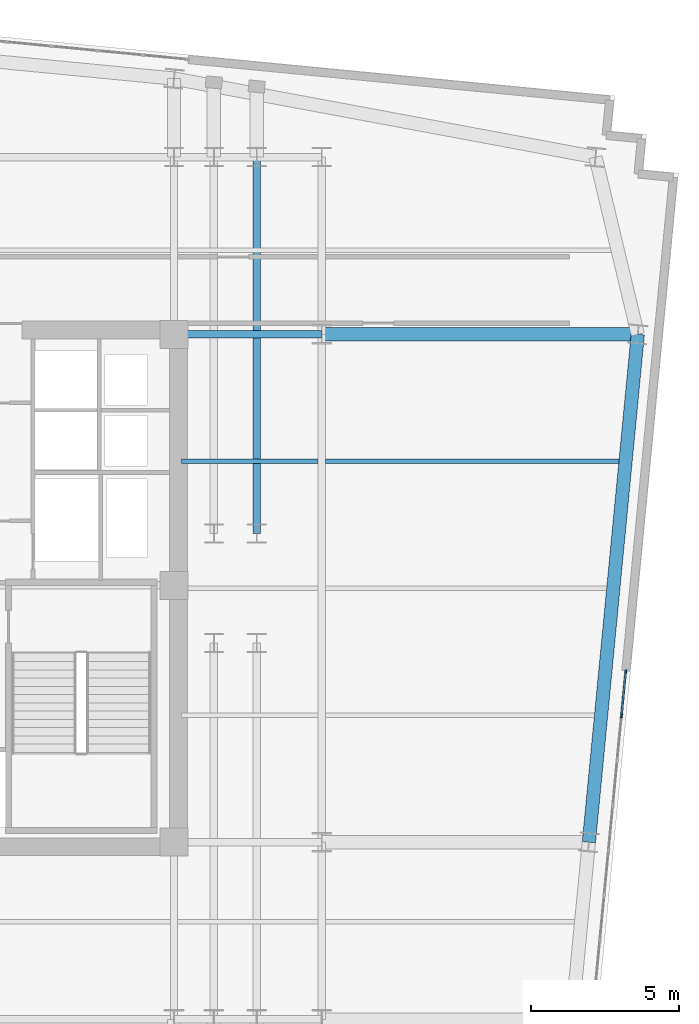
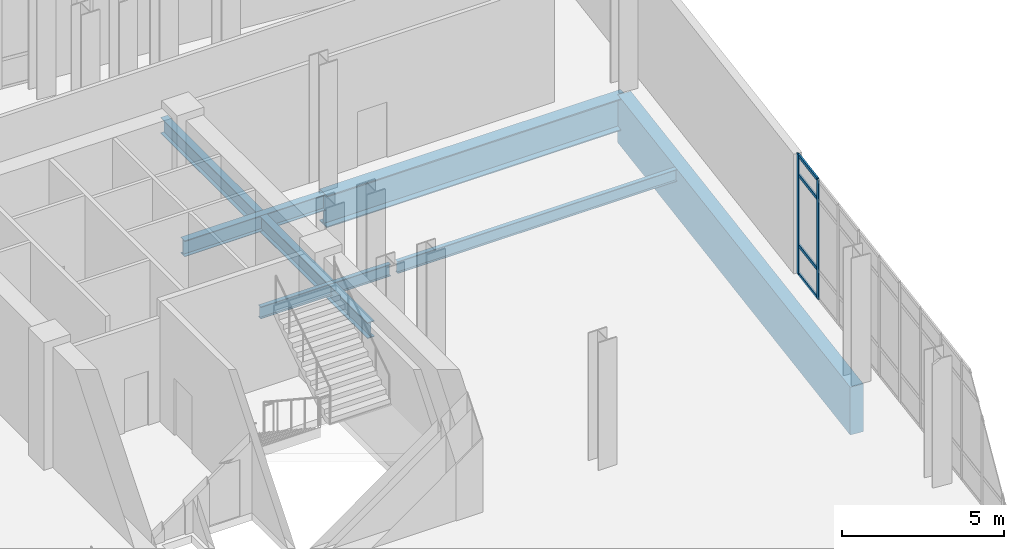
# One storey, part 7 of 16: 6 beams, 6 members, 1 element without a shape of its own.
"""IFC4 building model written with IfcOpenShell, lengths in metres."""

from ifc_helpers import new_model, si_unit, direction, frame, origin, origin_2d, place, context, subcontext, project, spatial, rectangle, i_section, extrude, material, layer, layer_set, material_profile, profile_set, type_object, element, aggregate, save


model = new_model("IFC4")

# Units and contexts
model_context = context("Model", 3, precision=1e-05, world=origin(), true_north=direction((0.0, 1.0)))
body_context = subcontext(model_context, "Body", "Model", "MODEL_VIEW")
ifc_project = project(units=[si_unit("LENGTHUNIT", "METRE"), si_unit("AREAUNIT", "SQUARE_METRE"), si_unit("VOLUMEUNIT", "CUBIC_METRE"), si_unit("PLANEANGLEUNIT", "RADIAN"), si_unit("MASSUNIT", "GRAM", prefix="KILO")], contexts=[model_context])

# Site, building, storey
site_placement = place(None, origin())
site = spatial("IfcSite", under=ifc_project, at=site_placement, CompositionType="ELEMENT")
building_placement = place(site_placement, origin())
building = spatial("IfcBuilding", under=site, at=building_placement, Name="Velakula Bourse", CompositionType="ELEMENT")
storey_placement = place(building_placement, frame((0.0, 0.0, 199.5)))
storey = spatial("IfcBuildingStorey", under=building, at=storey_placement, Name="L54", CompositionType="ELEMENT", Elevation=199.5)

# Beams
ifc_material_1 = material(Name="Steel IS 2062 Grade 350 (E350)", Category="steel")
ifc_material_profile_1 = material_profile(ifc_material_1, i_section(OverallWidth=0.25, OverallDepth=0.60009765625, WebThickness=0.01123046875, FlangeThickness=0.021240234375, at=origin_2d()), Name="Steel IS 2062 Grade 350 (E350)")
ifc_profile_set_1 = profile_set([ifc_material_profile_1], Name="Steel IS 2062 Grade 350 (E350)")
beam_type_1 = type_object("IfcBeamType", Name="BM-GRD-600M", PredefinedType="BEAM", material=ifc_profile_set_1)
beam_1_placement = place(storey_placement, frame((21.39990234375, 1.85009765625, -0.580078125), z_axis=(0.0, 1.0, 0.0), x_axis=(-1.0, 0.0, 0.0)))
element("IfcBeam", 1, at=beam_1_placement, inside=storey, type_object=beam_type_1, Name="L54 Fulcrum Grid Girder FLC-PNE2", PredefinedType="BEAM", context=body_context, shape_type="SweptSolid", body=[
    extrude(i_section(OverallWidth=0.25, OverallDepth=0.60009765625, WebThickness=0.01123046875, FlangeThickness=0.021240234375, at=origin_2d()), origin(), (0.0, 0.0, 1.0), 12.75),
])
beam_2_placement = place(storey_placement, frame((18.60009765625, 8.60009765625, -0.580078125), z_axis=(1.0, 0.0, 0.0), x_axis=(0.0, 1.0, 0.0)))
element("IfcBeam", 2, at=beam_2_placement, inside=storey, type_object=beam_type_1, Name="L54 Fulcrum Grid Girder MWG-EN1", PredefinedType="BEAM", context=body_context, shape_type="SweptSolid", body=[
    extrude(i_section(OverallWidth=0.25, OverallDepth=0.60009765625, WebThickness=0.01123046875, FlangeThickness=0.021240234375, at=origin_2d()), origin(), (0.0, 0.0, 1.0), 5.0),
])
ifc_material_profile_2 = material_profile(ifc_material_1, i_section(OverallWidth=0.14990234375, OverallDepth=0.449951171875, WebThickness=0.009521484375, FlangeThickness=0.017333984375, at=origin_2d()), Name="Steel IS 2062 Grade 350 (E350)")
ifc_profile_set_2 = profile_set([ifc_material_profile_2], Name="Steel IS 2062 Grade 350 (E350)")
beam_type_2 = type_object("IfcBeamType", Name="JST-TWR-450", PredefinedType="JOIST", material=ifc_profile_set_2)
beam_3_placement = place(storey_placement, frame((18.85009765625, 4.300048828125, -0.5048828125), z_axis=(1.0, 0.0, 0.0), x_axis=(0.0, 1.0, 0.0)))
element("IfcBeam", 3, at=beam_3_placement, inside=storey, type_object=beam_type_2, Name="L54 Trading Floor Composite Joist 26", PredefinedType="JOIST", context=body_context, shape_type="SweptSolid", body=[
    extrude(i_section(OverallWidth=0.14990234375, OverallDepth=0.449951171875, WebThickness=0.009521484375, FlangeThickness=0.017333984375, at=origin_2d()), origin(), (0.0, 0.0, 1.0), 4.625),
])
beam_4_placement = place(storey_placement, frame((23.72509765625, 4.300048828125, -0.5048828125), z_axis=(1.0, 0.0, 0.0), x_axis=(0.0, 1.0, 0.0)))
element("IfcBeam", 4, at=beam_4_placement, inside=storey, type_object=beam_type_2, Name="L54 Trading Floor Composite Joist 27", PredefinedType="JOIST", context=body_context, shape_type="SweptSolid", body=[
    extrude(i_section(OverallWidth=0.14990234375, OverallDepth=0.449951171875, WebThickness=0.009521484375, FlangeThickness=0.017333984375, at=origin_2d()), origin(), (0.0, 0.0, 1.0), 9.93994140625),
])

# Curtain wall, members
ifc_material_2 = material(Name="Anodised bronze architectural aluminium", Category="aluminium")
ifc_layer = layer(ifc_material_2, 0.139892578125, Name="Anodised bronze architectural aluminium", Category="aluminium")
ifc_layer_set = layer_set([ifc_layer], Name="Anodised bronze architectural aluminium")
curtain_wall_type = type_object("IfcCurtainWallType", Name="CW-TS1", PredefinedType="NOTDEFINED", material=ifc_layer_set)
curtain_wall_placement = place(storey_placement, origin())
curtain_wall = element("IfcCurtainWall", 5, at=curtain_wall_placement, inside=storey, type_object=curtain_wall_type, Name="L54 Turbine Plenum Curtain Wall E-W1", PredefinedType="NOTDEFINED")
ifc_material_profile_3 = material_profile(ifc_material_2, rectangle(XDim=0.06005859375, YDim=0.139892578125, at=origin_2d()), Name="Anodised bronze architectural aluminium")
ifc_profile_set_3 = profile_set([ifc_material_profile_3], Name="Anodised bronze architectural aluminium")
member_type_1 = type_object("IfcMemberType", Name="MUL-CW-TS1", PredefinedType="MULLION", material=ifc_profile_set_3)
member_1_placement = place(storey_placement, frame((33.89794921875, -2.828369140625, 0.0), z_axis=(0.0, 0.0, 1.0), x_axis=(0.995395914115, -0.095848704547, 0.0)))
member_1 = element("IfcMember", 6, at=member_1_placement, type_object=member_type_1, Name="CW-TS1 mullion 1", PredefinedType="MULLION", context=body_context, shape_type="SweptSolid", body=[
    extrude(rectangle(XDim=0.06005859375, YDim=0.139892578125, at=origin_2d()), origin(), (0.0, 0.0, 1.0), 4.5),
])
member_2_placement = place(storey_placement, frame((33.75439453125, -4.317626953125, 0.0), z_axis=(0.0, 0.0, 1.0), x_axis=(0.995395914115, -0.095848704547, 0.0)))
member_2 = element("IfcMember", 7, at=member_2_placement, type_object=member_type_1, Name="CW-TS1 mullion 2", PredefinedType="MULLION", context=body_context, shape_type="SweptSolid", body=[
    extrude(rectangle(XDim=0.06005859375, YDim=0.139892578125, at=origin_2d()), origin(), (0.0, 0.0, 1.0), 4.5),
])

# Beams
ifc_material_3 = material(Name="Concrete M50 (fck 50 MPa)", Category="concrete")
ifc_material_profile_4 = material_profile(ifc_material_3, rectangle(XDim=0.449951171875, YDim=1.800048828125, at=origin_2d()), Name="Concrete M50 (fck 50 MPa)")
ifc_profile_set_4 = profile_set([ifc_material_profile_4], Name="Concrete M50 (fck 50 MPa)")
beam_type_3 = type_object("IfcBeamType", Name="SPN-TRF-1800", PredefinedType="SPANDREL", material=ifc_profile_set_4)
beam_5_placement = place(storey_placement, frame((32.64892578125, -8.60009765625, -1.179931640625), z_axis=(0.095849167925, 0.995395869495, 0.0), x_axis=(-0.995395869495, 0.095849167925, 0.0)))
element("IfcBeam", 8, at=beam_5_placement, inside=storey, type_object=beam_type_3, Name="L54 Brick-Faced Precast Spandrel E2-E3", PredefinedType="SPANDREL", context=body_context, shape_type="SweptSolid", body=[
    extrude(rectangle(XDim=0.449951171875, YDim=1.800048828125, at=origin_2d()), origin(), (0.0, 0.0, 1.0), 17.27978515625),
])
ifc_material_4 = material(Name="Steel IS 2062 Grade 450 (E450)", Category="steel")
ifc_material_profile_5 = material_profile(ifc_material_4, i_section(OverallWidth=0.449951171875, OverallDepth=1.199951171875, WebThickness=0.02587890625, FlangeThickness=0.0400390625, at=origin_2d()), Name="Steel IS 2062 Grade 450 (E450)")
ifc_profile_set_5 = profile_set([ifc_material_profile_5], Name="Steel IS 2062 Grade 450 (E450)")
beam_type_4 = type_object("IfcBeamType", Name="TB-CANT-1200", PredefinedType="BEAM", material=ifc_profile_set_5)
beam_6_placement = place(storey_placement, frame((23.60009765625, 8.60009765625, -0.8798828125), z_axis=(1.0, 0.0, 0.0), x_axis=(0.0, 1.0, 0.0)))
element("IfcBeam", 9, at=beam_6_placement, inside=storey, type_object=beam_type_4, Name="L54 Perimeter Tie Girder E3", PredefinedType="BEAM", context=body_context, shape_type="SweptSolid", body=[
    extrude(i_section(OverallWidth=0.449951171875, OverallDepth=1.199951171875, WebThickness=0.02587890625, FlangeThickness=0.0400390625, at=origin_2d()), origin(), (0.0, 0.0, 1.0), 10.705078125),
])

# Member
ifc_material_profile_6 = material_profile(ifc_material_2, rectangle(XDim=0.06005859375, YDim=0.1201171875, at=origin_2d()), Name="Anodised bronze architectural aluminium")
ifc_profile_set_6 = profile_set([ifc_material_profile_6], Name="Anodised bronze architectural aluminium")
member_type_2 = type_object("IfcMemberType", Name="TRN-CW-TS1", PredefinedType="USERDEFINED", material=ifc_profile_set_6)
member_3_placement = place(storey_placement, frame((33.89501953125, -2.858154296875, 0.030029296875), z_axis=(-0.095867871334, -0.99539406832, 0.0), x_axis=(0.99539406832, -0.095867871334, 0.0)))
member_3 = element("IfcMember", 10, at=member_3_placement, type_object=member_type_2, Name="CW-TS1 transom 1.1", ObjectType="TRANSOM", PredefinedType="USERDEFINED", context=body_context, shape_type="SweptSolid", body=[
    extrude(rectangle(XDim=0.06005859375, YDim=0.1201171875, at=origin_2d()), origin(), (0.0, 0.0, 1.0), 1.436279296875),
])

member_4_placement = place(storey_placement, frame((33.89501953125, -2.858154296875, 1.10009765625), z_axis=(-0.095867871334, -0.99539406832, 0.0), x_axis=(0.99539406832, -0.095867871334, 0.0)))
member_4 = element("IfcMember", 11, at=member_4_placement, type_object=member_type_2, Name="CW-TS1 transom 1.2", ObjectType="TRANSOM", PredefinedType="USERDEFINED", context=body_context, shape_type="SweptSolid", body=[
    extrude(rectangle(XDim=0.06005859375, YDim=0.1201171875, at=origin_2d()), origin(), (0.0, 0.0, 1.0), 1.436279296875),
])

member_5_placement = place(storey_placement, frame((33.89501953125, -2.858154296875, 3.75), z_axis=(-0.095867871334, -0.99539406832, 0.0), x_axis=(0.99539406832, -0.095867871334, 0.0)))
member_5 = element("IfcMember", 12, at=member_5_placement, type_object=member_type_2, Name="CW-TS1 transom 1.3", ObjectType="TRANSOM", PredefinedType="USERDEFINED", context=body_context, shape_type="SweptSolid", body=[
    extrude(rectangle(XDim=0.06005859375, YDim=0.1201171875, at=origin_2d()), origin(), (0.0, 0.0, 1.0), 1.436279296875),
])

member_6_placement = place(storey_placement, frame((33.89501953125, -2.858154296875, 4.469970703125), z_axis=(-0.095867871334, -0.99539406832, 0.0), x_axis=(0.99539406832, -0.095867871334, 0.0)))
member_6 = element("IfcMember", 13, at=member_6_placement, type_object=member_type_2, Name="CW-TS1 transom 1.4", ObjectType="TRANSOM", PredefinedType="USERDEFINED", context=body_context, shape_type="SweptSolid", body=[
    extrude(rectangle(XDim=0.06005859375, YDim=0.1201171875, at=origin_2d()), origin(), (0.0, 0.0, 1.0), 1.436279296875),
])

aggregate(curtain_wall, [member_1, member_2, member_3, member_4, member_5, member_6])

save(model, "model.ifc")
